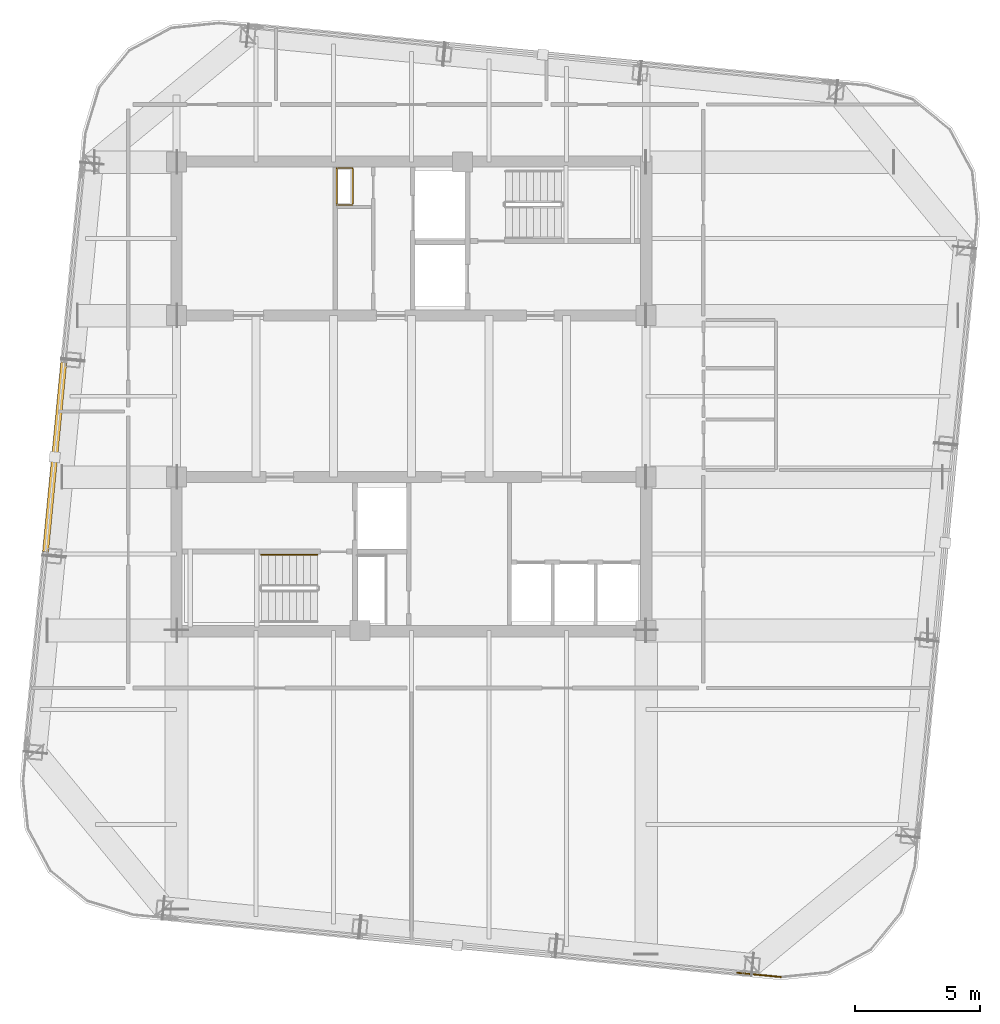
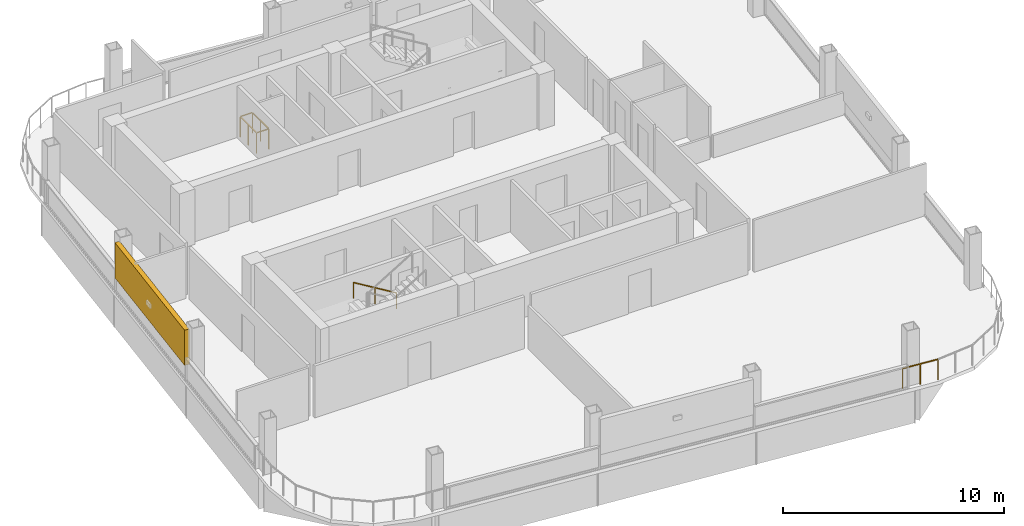
# One storey, part 19 of 21: 3 railings, 1 shading device.
"""IFC4 building model written with IfcOpenShell, lengths in metres."""

from ifc_helpers import new_model, si_unit, direction, frame, origin, origin_2d, place, context, subcontext, project, spatial, rectangle, extrude, material, type_object, element, save


model = new_model("IFC4")

# Units and contexts
model_context = context("Model", 3, precision=1e-05, world=origin(), true_north=direction((0.0, 1.0)))
body_context = subcontext(model_context, "Body", "Model", "MODEL_VIEW")
ifc_project = project(units=[si_unit("LENGTHUNIT", "METRE"), si_unit("AREAUNIT", "SQUARE_METRE"), si_unit("VOLUMEUNIT", "CUBIC_METRE"), si_unit("PLANEANGLEUNIT", "RADIAN"), si_unit("MASSUNIT", "GRAM", prefix="KILO")], contexts=[model_context])

# Site, building, storey
site_placement = place(None, origin())
site = spatial("IfcSite", under=ifc_project, at=site_placement, CompositionType="ELEMENT")
building_placement = place(site_placement, origin())
building = spatial("IfcBuilding", under=site, at=building_placement, Name="Qhalaya Broadcast Tower", CompositionType="ELEMENT")
storey_placement = place(building_placement, frame((0.0, 0.0, 270.300048828125)))
storey = spatial("IfcBuildingStorey", under=building, at=storey_placement, Name="L80", CompositionType="ELEMENT", Elevation=270.300048828125)

# Railings
ifc_material_1 = material(Name="Powder-Coated Galvanised Steel", Category="steel")
railing_type_1 = type_object("IfcRailingType", Name="Stair Wall Handrail 900", PredefinedType="HANDRAIL", material=ifc_material_1)
railing_1_placement = place(storey_placement, frame((-3.75, -5.72998046875, 0.16943359375)))
element("IfcRailing", 1, at=railing_1_placement, inside=storey, type_object=railing_type_1, Name="L80 ST-2 Stair Handrail 1", PredefinedType="HANDRAIL", context=body_context, shape_type="SweptSolid", body=[
    extrude(rectangle(XDim=0.048095703125, YDim=0.048095703125, at=origin_2d()), frame((0.0, 0.0, 0.8759765625), z_axis=(-0.855553338991, 0.0, 0.51771467445), x_axis=(0.0, -1.0, 0.0)), (0.0, 0.0, 1.0), 2.6181640625),
    extrude(rectangle(XDim=0.0419921875, YDim=0.0419921875, at=origin_2d()), origin(), (0.0, 0.0, 1.0), 0.849853515625),
    extrude(rectangle(XDim=0.0419921875, YDim=0.0419921875, at=origin_2d()), frame((-1.1201171875, 0.0, 0.677734375)), (0.0, 0.0, 1.0), 0.849853515625),
    extrude(rectangle(XDim=0.0419921875, YDim=0.0419921875, at=origin_2d()), frame((-2.239990234375, 0.0, 1.35546875)), (0.0, 0.0, 1.0), 0.849853515625),
])
railing_type_2 = type_object("IfcRailingType", Name="Stair Well & Landing Guardrail 1100", PredefinedType="GUARDRAIL", material=ifc_material_1)
railing_2_placement = place(storey_placement, frame((-2.340087890625, 8.239990234375, 0.0)))
element("IfcRailing", 2, at=railing_2_placement, inside=storey, type_object=railing_type_2, Name="L80 Service Riser Opening Safety Guard NRSR", PredefinedType="GUARDRAIL", context=body_context, shape_type="SweptSolid", body=[
    extrude(rectangle(XDim=0.048095703125, YDim=0.048095703125, at=origin_2d()), frame((0.0, 0.02880859375, 1.1259765625), z_axis=(0.0, 1.0, 0.0), x_axis=(-1.0, 0.0, 0.0)), (0.0, 0.0, 1.0), 1.42236328125),
    extrude(rectangle(XDim=0.048095703125, YDim=0.048095703125, at=origin_2d()), frame((-0.02880859375, 1.47998046875, 1.1259765625), z_axis=(-1.0, 0.0, 0.0), x_axis=(0.0, -1.0, 0.0)), (0.0, 0.0, 1.0), 0.582275390625),
    extrude(rectangle(XDim=0.048095703125, YDim=0.048095703125, at=origin_2d()), frame((-0.639892578125, 1.451171875, 1.1259765625), z_axis=(0.0, -1.0, 0.0), x_axis=(1.0, 0.0, 0.0)), (0.0, 0.0, 1.0), 1.42236328125),
    extrude(rectangle(XDim=0.048095703125, YDim=0.048095703125, at=origin_2d()), frame((-0.611083984375, 0.0, 1.1259765625), z_axis=(1.0, 0.0, 0.0), x_axis=(0.0, 1.0, 0.0)), (0.0, 0.0, 1.0), 0.582275390625),
    extrude(rectangle(XDim=0.0419921875, YDim=0.0419921875, at=origin_2d()), origin(), (0.0, 0.0, 1.0), 1.099853515625),
    extrude(rectangle(XDim=0.0419921875, YDim=0.0419921875, at=origin_2d()), frame((0.0, 0.739990234375, 0.0)), (0.0, 0.0, 1.0), 1.099853515625),
    extrude(rectangle(XDim=0.0419921875, YDim=0.0419921875, at=origin_2d()), frame((0.0, 1.47998046875, 0.0)), (0.0, 0.0, 1.0), 1.099853515625),
    extrude(rectangle(XDim=0.0419921875, YDim=0.0419921875, at=origin_2d()), frame((-0.639892578125, 1.47998046875, 0.0)), (0.0, 0.0, 1.0), 1.099853515625),
    extrude(rectangle(XDim=0.0419921875, YDim=0.0419921875, at=origin_2d()), frame((-0.639892578125, 0.739990234375, 0.0)), (0.0, 0.0, 1.0), 1.099853515625),
    extrude(rectangle(XDim=0.0419921875, YDim=0.0419921875, at=origin_2d()), frame((-0.639892578125, 0.0, 0.0)), (0.0, 0.0, 1.0), 1.099853515625),
])
railing_type_3 = type_object("IfcRailingType", Name="Terrace, Sky-Pool & Lookout Glass Balustrade 1150", PredefinedType="BALUSTRADE", material=ifc_material_1)
railing_3_placement = place(storey_placement, frame((14.754638671875, -22.58251953125, 0.0)))
element("IfcRailing", 3, at=railing_3_placement, inside=storey, type_object=railing_type_3, Name="L80 Rounded Corner Perimeter Guard 01", PredefinedType="BALUSTRADE", context=body_context, shape_type="SweptSolid", body=[
    extrude(rectangle(XDim=0.048095703125, YDim=0.048095703125, at=origin_2d()), frame((0.0, 0.0, 1.1259765625), z_axis=(-0.99540189436, 0.09578657894, 0.0), x_axis=(-0.09578657894, -0.99540189436, 0.0)), (0.0, 0.0, 1.0), 1.756103515625),
    extrude(rectangle(XDim=0.0419921875, YDim=0.0419921875, at=origin_2d()), origin(), (0.0, 0.0, 1.0), 1.099853515625),
    extrude(rectangle(XDim=0.0419921875, YDim=0.0419921875, at=origin_2d()), frame((-0.8740234375, 0.083984375, 0.0)), (0.0, 0.0, 1.0), 1.099853515625),
    extrude(rectangle(XDim=0.0419921875, YDim=0.0419921875, at=origin_2d()), frame((-1.748046875, 0.168212890625, 0.0)), (0.0, 0.0, 1.0), 1.099853515625),
])

# Shading device
ifc_material_2 = material(Name="Fired Architectural Terracotta", Category="masonry")
shading_device_type = type_object("IfcShadingDeviceType", Name="Terracotta Baguette Solar Screen Assembly TBS-01", PredefinedType="USERDEFINED", material=ifc_material_2)
shading_device_placement = place(storey_placement, frame((-14.23779296875, -1.828125, 0.80078125), z_axis=(0.0, 0.0, 1.0), x_axis=(-0.09584575252, -0.995396198367, 0.0)))
element("IfcShadingDevice", 4, at=shading_device_placement, inside=storey, type_object=shading_device_type, Name="L80 Fired Terracotta Baguette Screen W", ObjectType="BAGUETTE", PredefinedType="USERDEFINED", context=body_context, shape_type="SweptSolid", body=[
    extrude(rectangle(XDim=7.60009765625, YDim=0.239990234375, at=origin_2d()), origin(), (0.0, 0.0, 1.0), 1.945068359375),
])

save(model, "model.ifc")
